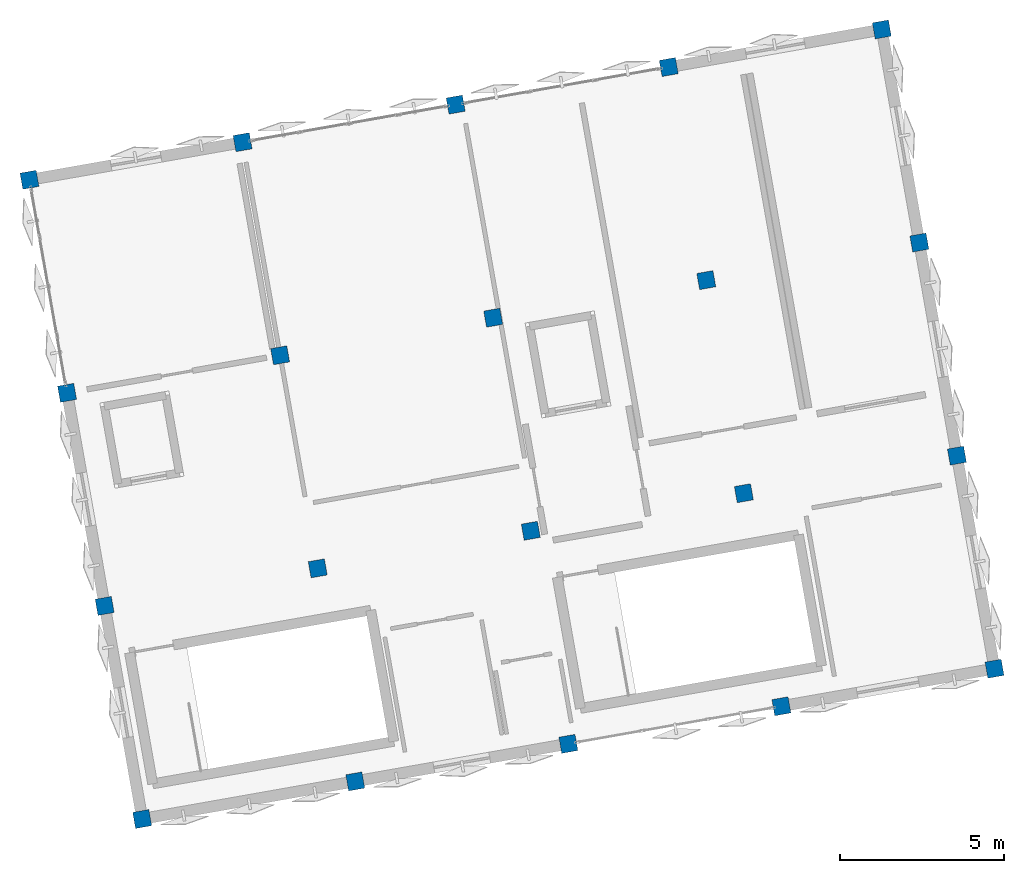
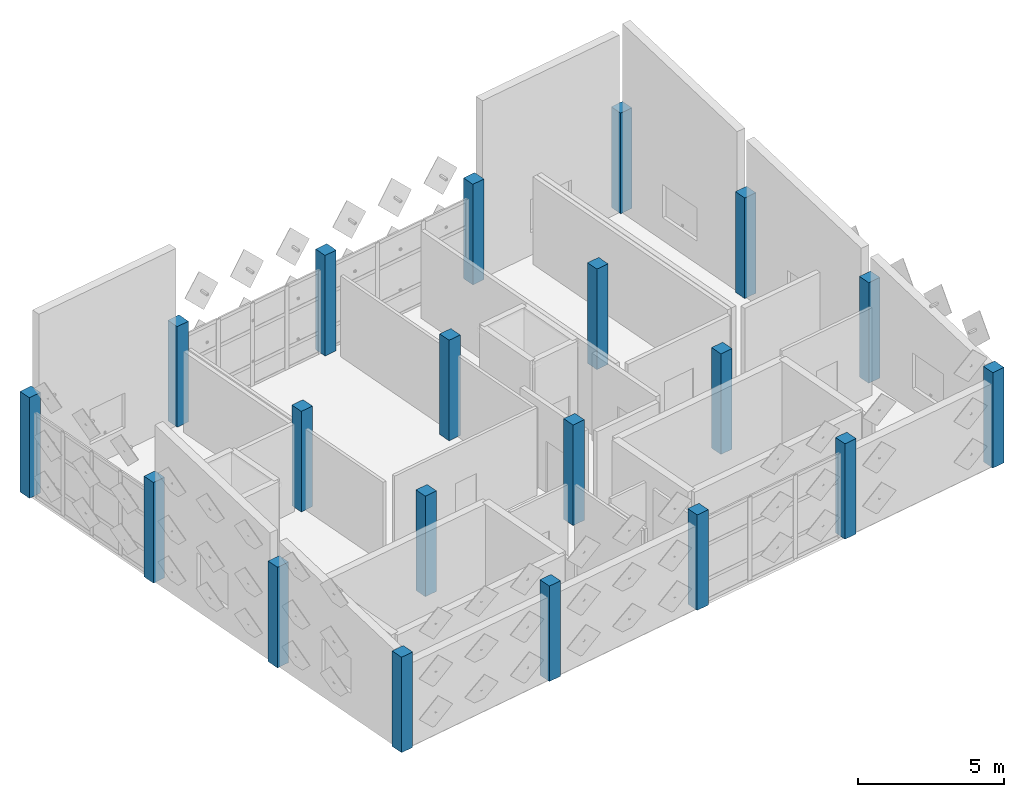
# One storey, part 1 of 11: 20 columns.
"""IFC4 building model written with IfcOpenShell, lengths in metres."""

from ifc_helpers import new_model, si_unit, direction, frame, origin, origin_2d, place, context, subcontext, project, spatial, rectangle, extrude, material, material_profile, profile_set, type_object, element, save


model = new_model("IFC4")

# Units and contexts
model_context = context("Model", 3, precision=1e-05, world=origin(), true_north=direction((0.0, 1.0)))
body_context = subcontext(model_context, "Body", "Model", "MODEL_VIEW")
ifc_project = project(units=[si_unit("LENGTHUNIT", "METRE"), si_unit("AREAUNIT", "SQUARE_METRE"), si_unit("VOLUMEUNIT", "CUBIC_METRE"), si_unit("PLANEANGLEUNIT", "RADIAN"), si_unit("MASSUNIT", "GRAM", prefix="KILO")], contexts=[model_context])

# Site, building, storey
site_placement = place(None, origin())
site = spatial("IfcSite", under=ifc_project, at=site_placement, CompositionType="ELEMENT")
building_placement = place(site_placement, origin())
building = spatial("IfcBuilding", under=site, at=building_placement, Name="Kharisveld Research Institute", CompositionType="ELEMENT")
storey_placement = place(building_placement, frame((0.0, 0.0, 49.199951171875)))
storey = spatial("IfcBuildingStorey", under=building, at=storey_placement, Name="L11", CompositionType="ELEMENT", Elevation=49.199951171875)

# Columns
ifc_material = material(Name="Concrete C40/50", Category="concrete")
ifc_material_profile = material_profile(ifc_material, rectangle(XDim=0.5, YDim=0.5, at=origin_2d()))
ifc_profile_set = profile_set([ifc_material_profile], Name="Concrete C40/50")
column_type = type_object("IfcColumnType", Name="COL_RC_500", PredefinedType="COLUMN", material=ifc_profile_set)
column_1_placement = place(storey_placement, frame((5.199951171875, 35.010009765625, 0.0), z_axis=(0.0, 0.0, 1.0), x_axis=(0.984807753012, 0.173648177667, 0.0)))
element("IfcColumn", 1, at=column_1_placement, inside=storey, type_object=column_type, Name="COL:V1:L11:U0V0", PredefinedType="COLUMN", context=body_context, shape_type="SweptSolid", body=[
    extrude(rectangle(XDim=0.5, YDim=0.5, at=origin_2d()), origin(), (0.0, 0.0, 1.0), 3.985107421875),
])
for number, where, z_axis, x_axis, name in (
    (2, (4.053955078125, 41.509765625, 0.0), (0.0, 0.0, 1.0), (0.984807753012, 0.173648177667, 0.0), "COL:V1:L11:U0V1"),
    (3, (2.907958984375, 48.009521484375, 0.0), (0.0, 0.0, 1.0), (0.984807753012, 0.173648177667, 0.0), "COL:V1:L11:U0V2"),
    (4, (1.76171875, 54.50927734375, 0.0), (0.0, 0.0, 1.0), (0.984807753012, 0.173648177667, 0.0), "COL:V1:L11:U0V3"),
):
    element("IfcColumn", number, at=place(storey_placement, frame(where, z_axis=z_axis, x_axis=x_axis)), inside=storey, type_object=column_type, Name=name, PredefinedType="COLUMN", context=body_context, shape_type="SweptSolid", body=[
        extrude(rectangle(XDim=0.5, YDim=0.5, at=origin_2d()), origin(), (0.0, 0.0, 1.0), 4.199951171875),
    ])
column_2_placement = place(storey_placement, frame((11.69970703125, 36.156005859375, 0.0), z_axis=(0.0, 0.0, 1.0), x_axis=(0.984807753012, 0.173648177667, 0.0)))
element("IfcColumn", 5, at=column_2_placement, inside=storey, type_object=column_type, Name="COL:V1:L11:U1V0", PredefinedType="COLUMN", context=body_context, shape_type="SweptSolid", body=[
    extrude(rectangle(XDim=0.5, YDim=0.5, at=origin_2d()), origin(), (0.0, 0.0, 1.0), 3.985107421875),
])
for number, where, z_axis, x_axis, name in (
    (6, (10.5537109375, 42.65576171875, 0.0), (0.0, 0.0, 1.0), (0.984807753012, 0.173648177667, 0.0), "COL:V1:L11:U1V1"),
    (7, (9.407470703125, 49.155517578125, 0.0), (0.0, 0.0, 1.0), (0.984807753012, 0.173648177667, 0.0), "COL:V1:L11:U1V2"),
    (8, (8.261474609375, 55.6552734375, 0.0), (0.0, 0.0, 1.0), (0.984807753012, 0.173648177667, 0.0), "COL:V1:L11:U1V3"),
):
    element("IfcColumn", number, at=place(storey_placement, frame(where, z_axis=z_axis, x_axis=x_axis)), inside=storey, type_object=column_type, Name=name, PredefinedType="COLUMN", context=body_context, shape_type="SweptSolid", body=[
        extrude(rectangle(XDim=0.5, YDim=0.5, at=origin_2d()), origin(), (0.0, 0.0, 1.0), 4.199951171875),
    ])
column_3_placement = place(storey_placement, frame((18.199462890625, 37.30224609375, 0.0), z_axis=(0.0, 0.0, 1.0), x_axis=(0.984807753012, 0.173648177667, 0.0)))
element("IfcColumn", 9, at=column_3_placement, inside=storey, type_object=column_type, Name="COL:V1:L11:U2V0", PredefinedType="COLUMN", context=body_context, shape_type="SweptSolid", body=[
    extrude(rectangle(XDim=0.5, YDim=0.5, at=origin_2d()), origin(), (0.0, 0.0, 1.0), 3.985107421875),
])
for number, where, z_axis, x_axis, name in (
    (10, (17.053466796875, 43.802001953125, 0.0), (0.0, 0.0, 1.0), (0.984807753012, 0.173648177667, 0.0), "COL:V1:L11:U2V1"),
    (11, (15.9072265625, 50.301513671875, 0.0), (0.0, 0.0, 1.0), (0.984807753012, 0.173648177667, 0.0), "COL:V1:L11:U2V2"),
    (12, (14.76123046875, 56.80126953125, 0.0), (0.0, 0.0, 1.0), (0.984807753012, 0.173648177667, 0.0), "COL:V1:L11:U2V3"),
):
    element("IfcColumn", number, at=place(storey_placement, frame(where, z_axis=z_axis, x_axis=x_axis)), inside=storey, type_object=column_type, Name=name, PredefinedType="COLUMN", context=body_context, shape_type="SweptSolid", body=[
        extrude(rectangle(XDim=0.5, YDim=0.5, at=origin_2d()), origin(), (0.0, 0.0, 1.0), 4.199951171875),
    ])
column_4_placement = place(storey_placement, frame((24.69921875, 38.4482421875, 0.0), z_axis=(0.0, 0.0, 1.0), x_axis=(0.984807753012, 0.173648177667, 0.0)))
element("IfcColumn", 13, at=column_4_placement, inside=storey, type_object=column_type, Name="COL:V1:L11:U3V0", PredefinedType="COLUMN", context=body_context, shape_type="SweptSolid", body=[
    extrude(rectangle(XDim=0.5, YDim=0.5, at=origin_2d()), origin(), (0.0, 0.0, 1.0), 3.985107421875),
])
for number, where, z_axis, x_axis, name in (
    (14, (23.55322265625, 44.947998046875, 0.0), (0.0, 0.0, 1.0), (0.984807753012, 0.173648177667, 0.0), "COL:V1:L11:U3V1"),
    (15, (22.406982421875, 51.44775390625, 0.0), (0.0, 0.0, 1.0), (0.984807753012, 0.173648177667, 0.0), "COL:V1:L11:U3V2"),
    (16, (21.260986328125, 57.947509765625, 0.0), (0.0, 0.0, 1.0), (0.984807753012, 0.173648177667, 0.0), "COL:V1:L11:U3V3"),
):
    element("IfcColumn", number, at=place(storey_placement, frame(where, z_axis=z_axis, x_axis=x_axis)), inside=storey, type_object=column_type, Name=name, PredefinedType="COLUMN", context=body_context, shape_type="SweptSolid", body=[
        extrude(rectangle(XDim=0.5, YDim=0.5, at=origin_2d()), origin(), (0.0, 0.0, 1.0), 4.199951171875),
    ])
column_5_placement = place(storey_placement, frame((31.198974609375, 39.59423828125, 0.0), z_axis=(0.0, 0.0, 1.0), x_axis=(0.984807753012, 0.173648177667, 0.0)))
element("IfcColumn", 17, at=column_5_placement, inside=storey, type_object=column_type, Name="COL:V1:L11:U4V0", PredefinedType="COLUMN", context=body_context, shape_type="SweptSolid", body=[
    extrude(rectangle(XDim=0.5, YDim=0.5, at=origin_2d()), origin(), (0.0, 0.0, 1.0), 3.985107421875),
])
for number, where, z_axis, x_axis, name in (
    (18, (30.052734375, 46.093994140625, 0.0), (0.0, 0.0, 1.0), (0.984807753012, 0.173648177667, 0.0), "COL:V1:L11:U4V1"),
    (19, (28.90673828125, 52.59375, 0.0), (0.0, 0.0, 1.0), (0.984807753012, 0.173648177667, 0.0), "COL:V1:L11:U4V2"),
    (20, (27.7607421875, 59.093505859375, 0.0), (0.0, 0.0, 1.0), (0.984807753012, 0.173648177667, 0.0), "COL:V1:L11:U4V3"),
):
    element("IfcColumn", number, at=place(storey_placement, frame(where, z_axis=z_axis, x_axis=x_axis)), inside=storey, type_object=column_type, Name=name, PredefinedType="COLUMN", context=body_context, shape_type="SweptSolid", body=[
        extrude(rectangle(XDim=0.5, YDim=0.5, at=origin_2d()), origin(), (0.0, 0.0, 1.0), 4.199951171875),
    ])

save(model, "model.ifc")
